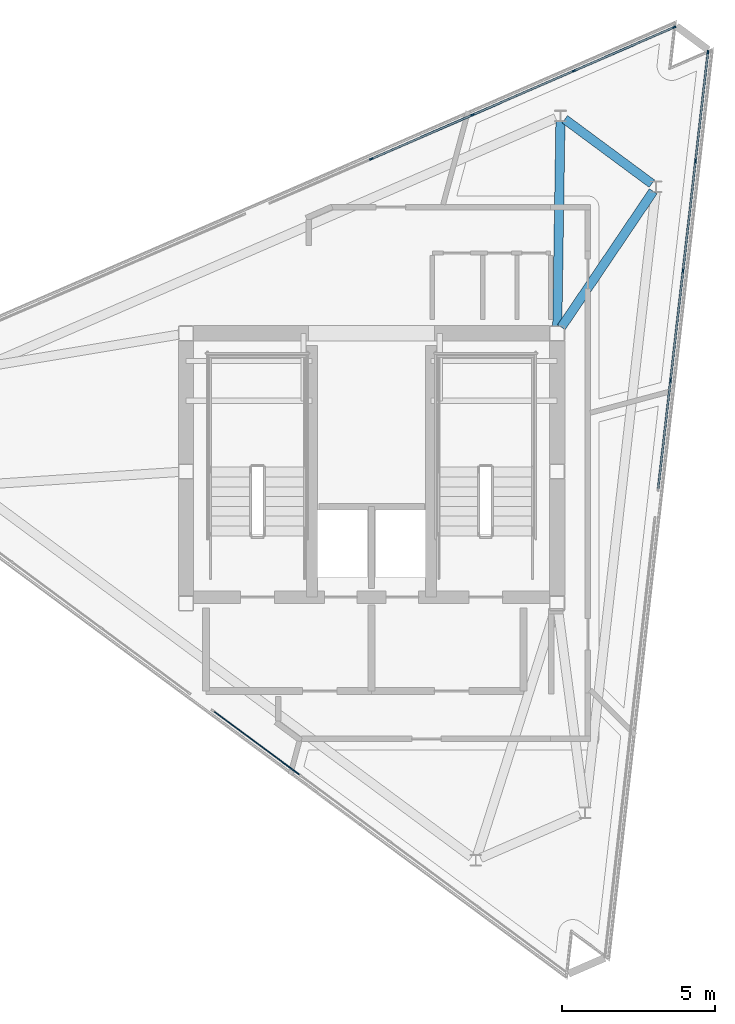
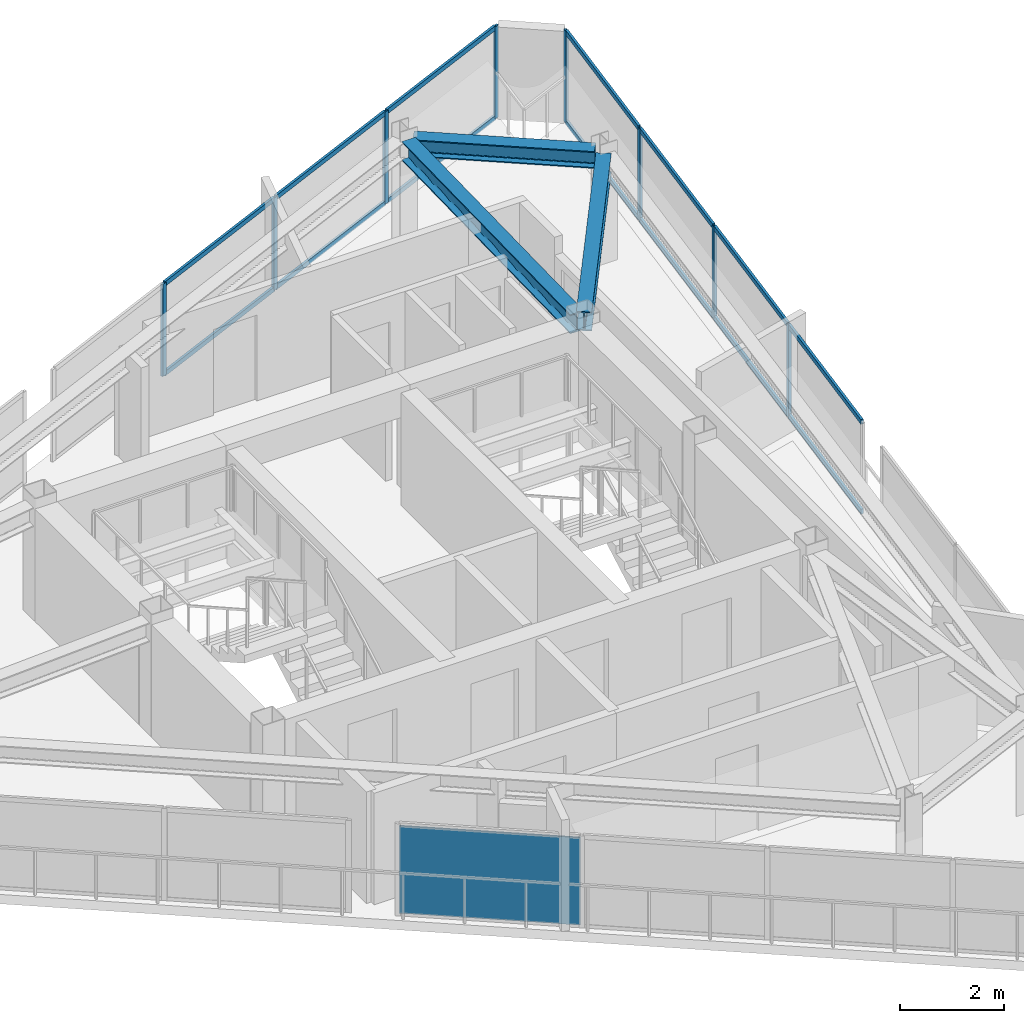
# One storey, part 5 of 9: 22 members, 3 beams, 1 plate, 3 elements without a shape of their own.
"""IFC4 building model written with IfcOpenShell, lengths in metres."""

from ifc_helpers import new_model, si_unit, direction, frame, origin, origin_2d, place, context, subcontext, project, spatial, rectangle, i_section, extrude, material, layer, layer_set, material_profile, profile_set, type_object, element, aggregate, save


model = new_model("IFC4")

# Units and contexts
model_context = context("Model", 3, precision=1e-05, world=origin(), true_north=direction((0.0, 1.0)))
body_context = subcontext(model_context, "Body", "Model", "MODEL_VIEW")
ifc_project = project(units=[si_unit("LENGTHUNIT", "METRE"), si_unit("AREAUNIT", "SQUARE_METRE"), si_unit("VOLUMEUNIT", "CUBIC_METRE"), si_unit("PLANEANGLEUNIT", "RADIAN"), si_unit("MASSUNIT", "GRAM", prefix="KILO")], contexts=[model_context])

# Site, building, storey
site_placement = place(None, origin())
site = spatial("IfcSite", under=ifc_project, at=site_placement, CompositionType="ELEMENT")
building_placement = place(site_placement, origin())
building = spatial("IfcBuilding", under=site, at=building_placement, Name="Rocaltana Carrier Exchange", CompositionType="ELEMENT")
storey_placement = place(building_placement, frame((0.0, 0.0, 246.239990234375)))
storey = spatial("IfcBuildingStorey", under=building, at=storey_placement, Name="L78", CompositionType="ELEMENT", Elevation=246.239990234375)

# Curtain wall, members
ifc_material_1 = material(Name="Aluminium 6063-T6", Category="aluminium")
ifc_layer_1 = layer(ifc_material_1, 0.110107421875)
ifc_layer_set_1 = layer_set([ifc_layer_1], Name="Aluminium 6063-T6")
curtain_wall_type = type_object("IfcCurtainWallType", Name="Crown Lantern Faceted Curtain Wall CW-06", PredefinedType="NOTDEFINED", material=ifc_layer_set_1)
curtain_wall_1_placement = place(storey_placement, origin())
curtain_wall_1 = element("IfcCurtainWall", 1, at=curtain_wall_1_placement, inside=storey, type_object=curtain_wall_type, Name="L78 CW-06 Run CW06-L78-F1S2", PredefinedType="NOTDEFINED")
ifc_material_2 = material(Name="Aluminium 6063-T6", Category="aluminium")
ifc_material_profile_1 = material_profile(ifc_material_2, rectangle(XDim=0.054931640625, YDim=0.110107421875, at=origin_2d()), Name="AL-55X110")
ifc_profile_set_1 = profile_set([ifc_material_profile_1], Name="Aluminium 6063-T6")
member_type_1 = type_object("IfcMemberType", Name="CW-06 Mullion AL-55X110", PredefinedType="MULLION", material=ifc_profile_set_1)
member_1_placement = place(storey_placement, frame((9.74462890625, 2.966064453125, 0.0), z_axis=(0.0, 0.0, 1.0), x_axis=(-0.993571248935, 0.113208538941, 0.0)))
member_1 = element("IfcMember", 2, at=member_1_placement, type_object=member_type_1, Name="CW-06 mullion 2", PredefinedType="MULLION", context=body_context, shape_type="SweptSolid", body=[
    extrude(rectangle(XDim=0.054931640625, YDim=0.110107421875, at=origin_2d()), origin(), (0.0, 0.0, 1.0), 2.16796875),
])
member_2_placement = place(storey_placement, frame((10.152099609375, 6.542724609375, 0.0), z_axis=(0.0, 0.0, 1.0), x_axis=(-0.993571248935, 0.113208538941, 0.0)))
member_2 = element("IfcMember", 3, at=member_2_placement, type_object=member_type_1, Name="CW-06 mullion 3", PredefinedType="MULLION", context=body_context, shape_type="SweptSolid", body=[
    extrude(rectangle(XDim=0.054931640625, YDim=0.110107421875, at=origin_2d()), origin(), (0.0, 0.0, 1.0), 2.16796875),
])
member_3_placement = place(storey_placement, frame((10.559814453125, 10.11962890625, 0.0), z_axis=(0.0, 0.0, 1.0), x_axis=(-0.993571248935, 0.113208538941, 0.0)))
member_3 = element("IfcMember", 4, at=member_3_placement, type_object=member_type_1, Name="CW-06 mullion 4", PredefinedType="MULLION", context=body_context, shape_type="SweptSolid", body=[
    extrude(rectangle(XDim=0.054931640625, YDim=0.110107421875, at=origin_2d()), origin(), (0.0, 0.0, 1.0), 2.16796875),
])
member_4_placement = place(storey_placement, frame((10.964111328125, 13.669189453125, 0.0), z_axis=(0.0, 0.0, 1.0), x_axis=(-0.993571248935, 0.113208538941, 0.0)))
member_4 = element("IfcMember", 5, at=member_4_placement, type_object=member_type_1, Name="CW-06 mullion 5", PredefinedType="MULLION", context=body_context, shape_type="SweptSolid", body=[
    extrude(rectangle(XDim=0.054931640625, YDim=0.110107421875, at=origin_2d()), origin(), (0.0, 0.0, 1.0), 2.16796875),
])

curtain_wall_2_placement = place(storey_placement, origin())
curtain_wall_2 = element("IfcCurtainWall", 6, at=curtain_wall_2_placement, inside=storey, type_object=curtain_wall_type, Name="L78 CW-06 Run CW06-L78-F2S1", PredefinedType="NOTDEFINED")
member_5_placement = place(storey_placement, frame((9.8662109375, 14.4814453125, 0.0), z_axis=(0.0, 0.0, 1.0), x_axis=(0.398751504402, -0.917059015406, 0.0)))
member_5 = element("IfcMember", 7, at=member_5_placement, type_object=member_type_1, Name="CW-06 mullion 1", PredefinedType="MULLION", context=body_context, shape_type="SweptSolid", body=[
    extrude(rectangle(XDim=0.054931640625, YDim=0.110107421875, at=origin_2d()), origin(), (0.0, 0.0, 1.0), 2.16796875),
])
member_6_placement = place(storey_placement, frame((6.590087890625, 13.056884765625, 0.0), z_axis=(0.0, 0.0, 1.0), x_axis=(0.398751504402, -0.917059015406, 0.0)))
member_6 = element("IfcMember", 8, at=member_6_placement, type_object=member_type_1, Name="CW-06 mullion 2", PredefinedType="MULLION", context=body_context, shape_type="SweptSolid", body=[
    extrude(rectangle(XDim=0.054931640625, YDim=0.110107421875, at=origin_2d()), origin(), (0.0, 0.0, 1.0), 2.16796875),
])
member_7_placement = place(storey_placement, frame((3.288818359375, 11.62158203125, 0.0), z_axis=(0.0, 0.0, 1.0), x_axis=(0.398751504402, -0.917059015406, 0.0)))
member_7 = element("IfcMember", 9, at=member_7_placement, type_object=member_type_1, Name="CW-06 mullion 3", PredefinedType="MULLION", context=body_context, shape_type="SweptSolid", body=[
    extrude(rectangle(XDim=0.054931640625, YDim=0.110107421875, at=origin_2d()), origin(), (0.0, 0.0, 1.0), 2.16796875),
])
member_8_placement = place(storey_placement, frame((-0.0126953125, 10.18603515625, 0.0), z_axis=(0.0, 0.0, 1.0), x_axis=(0.398751504402, -0.917059015406, 0.0)))
member_8 = element("IfcMember", 10, at=member_8_placement, type_object=member_type_1, Name="CW-06 mullion 4", PredefinedType="MULLION", context=body_context, shape_type="SweptSolid", body=[
    extrude(rectangle(XDim=0.054931640625, YDim=0.110107421875, at=origin_2d()), origin(), (0.0, 0.0, 1.0), 2.16796875),
])

# Member
ifc_material_3 = material(Name="Aluminium 6063-T6", Category="aluminium")
ifc_material_profile_2 = material_profile(ifc_material_3, rectangle(XDim=0.054931640625, YDim=0.110107421875, at=origin_2d()), Name="AL-55X110")
ifc_profile_set_2 = profile_set([ifc_material_profile_2], Name="Aluminium 6063-T6")
member_type_2 = type_object("IfcMemberType", Name="CW-06 Transom AL-55X110", PredefinedType="USERDEFINED", material=ifc_profile_set_2)
member_9_placement = place(storey_placement, frame((9.34326171875, -0.55615234375, 0.027587890625), z_axis=(0.113204020034, 0.993571763814, 0.0), x_axis=(-0.993571763814, 0.113204020034, 0.0)))
member_9 = element("IfcMember", 11, at=member_9_placement, type_object=member_type_2, Name="CW-06 transom 1.1", ObjectType="TRANSOM", PredefinedType="USERDEFINED", context=body_context, shape_type="SweptSolid", body=[
    extrude(rectangle(XDim=0.054931640625, YDim=0.110107421875, at=origin_2d()), origin(), (0.0, 0.0, 1.0), 3.517578125),
])

member_10_placement = place(storey_placement, frame((9.34326171875, -0.55615234375, 2.140625), z_axis=(0.113204020034, 0.993571763814, 0.0), x_axis=(-0.993571763814, 0.113204020034, 0.0)))
member_10 = element("IfcMember", 12, at=member_10_placement, type_object=member_type_2, Name="CW-06 transom 1.2", ObjectType="TRANSOM", PredefinedType="USERDEFINED", context=body_context, shape_type="SweptSolid", body=[
    extrude(rectangle(XDim=0.054931640625, YDim=0.110107421875, at=origin_2d()), origin(), (0.0, 0.0, 1.0), 3.517578125),
])

member_11_placement = place(storey_placement, frame((9.747802734375, 2.9931640625, 0.027587890625), z_axis=(0.11322027687, 0.993569911433, 0.0), x_axis=(-0.993569911433, 0.11322027687, 0.0)))
member_11 = element("IfcMember", 13, at=member_11_placement, type_object=member_type_2, Name="CW-06 transom 2.1", ObjectType="TRANSOM", PredefinedType="USERDEFINED", context=body_context, shape_type="SweptSolid", body=[
    extrude(rectangle(XDim=0.054931640625, YDim=0.110107421875, at=origin_2d()), origin(), (0.0, 0.0, 1.0), 3.544921875),
])

member_12_placement = place(storey_placement, frame((9.747802734375, 2.9931640625, 2.140625), z_axis=(0.11322027687, 0.993569911433, 0.0), x_axis=(-0.993569911433, 0.11322027687, 0.0)))
member_12 = element("IfcMember", 14, at=member_12_placement, type_object=member_type_2, Name="CW-06 transom 2.2", ObjectType="TRANSOM", PredefinedType="USERDEFINED", context=body_context, shape_type="SweptSolid", body=[
    extrude(rectangle(XDim=0.054931640625, YDim=0.110107421875, at=origin_2d()), origin(), (0.0, 0.0, 1.0), 3.544921875),
])

member_13_placement = place(storey_placement, frame((10.1552734375, 6.570068359375, 0.027587890625), z_axis=(0.11322027687, 0.993569911433, 0.0), x_axis=(-0.993569911433, 0.11322027687, 0.0)))
member_13 = element("IfcMember", 15, at=member_13_placement, type_object=member_type_2, Name="CW-06 transom 3.1", ObjectType="TRANSOM", PredefinedType="USERDEFINED", context=body_context, shape_type="SweptSolid", body=[
    extrude(rectangle(XDim=0.054931640625, YDim=0.110107421875, at=origin_2d()), origin(), (0.0, 0.0, 1.0), 3.544921875),
])

member_14_placement = place(storey_placement, frame((10.1552734375, 6.570068359375, 2.140625), z_axis=(0.11322027687, 0.993569911433, 0.0), x_axis=(-0.993569911433, 0.11322027687, 0.0)))
member_14 = element("IfcMember", 16, at=member_14_placement, type_object=member_type_2, Name="CW-06 transom 3.2", ObjectType="TRANSOM", PredefinedType="USERDEFINED", context=body_context, shape_type="SweptSolid", body=[
    extrude(rectangle(XDim=0.054931640625, YDim=0.110107421875, at=origin_2d()), origin(), (0.0, 0.0, 1.0), 3.544921875),
])

member_15_placement = place(storey_placement, frame((10.562744140625, 10.14697265625, 0.027587890625), z_axis=(0.113272537493, 0.993563954786, 0.0), x_axis=(-0.993563954786, 0.113272537493, 0.0)))
member_15 = element("IfcMember", 17, at=member_15_placement, type_object=member_type_2, Name="CW-06 transom 4.1", ObjectType="TRANSOM", PredefinedType="USERDEFINED", context=body_context, shape_type="SweptSolid", body=[
    extrude(rectangle(XDim=0.054931640625, YDim=0.110107421875, at=origin_2d()), origin(), (0.0, 0.0, 1.0), 3.517578125),
])

member_16_placement = place(storey_placement, frame((10.562744140625, 10.14697265625, 2.140625), z_axis=(0.113272537493, 0.993563954786, 0.0), x_axis=(-0.993563954786, 0.113272537493, 0.0)))
member_16 = element("IfcMember", 18, at=member_16_placement, type_object=member_type_2, Name="CW-06 transom 4.2", ObjectType="TRANSOM", PredefinedType="USERDEFINED", context=body_context, shape_type="SweptSolid", body=[
    extrude(rectangle(XDim=0.054931640625, YDim=0.110107421875, at=origin_2d()), origin(), (0.0, 0.0, 1.0), 3.517578125),
])

aggregate(curtain_wall_1, [member_1, member_2, member_3, member_4, member_9, member_10, member_11, member_12, member_13, member_14, member_15, member_16])

member_17_placement = place(storey_placement, frame((9.841064453125, 14.470458984375, 0.027587890625), z_axis=(-0.917064538977, -0.39873880091, 0.0), x_axis=(0.39873880091, -0.917064538977, 0.0)))
member_17 = element("IfcMember", 19, at=member_17_placement, type_object=member_type_2, Name="CW-06 transom 1.1", ObjectType="TRANSOM", PredefinedType="USERDEFINED", context=body_context, shape_type="SweptSolid", body=[
    extrude(rectangle(XDim=0.054931640625, YDim=0.110107421875, at=origin_2d()), origin(), (0.0, 0.0, 1.0), 3.517578125),
])

member_18_placement = place(storey_placement, frame((9.841064453125, 14.470458984375, 2.140625), z_axis=(-0.917064538977, -0.39873880091, 0.0), x_axis=(0.39873880091, -0.917064538977, 0.0)))
member_18 = element("IfcMember", 20, at=member_18_placement, type_object=member_type_2, Name="CW-06 transom 1.2", ObjectType="TRANSOM", PredefinedType="USERDEFINED", context=body_context, shape_type="SweptSolid", body=[
    extrude(rectangle(XDim=0.054931640625, YDim=0.110107421875, at=origin_2d()), origin(), (0.0, 0.0, 1.0), 3.517578125),
])

member_19_placement = place(storey_placement, frame((6.56494140625, 13.046142578125, 0.027587890625), z_axis=(-0.917059106947, -0.398751293874, 0.0), x_axis=(0.398751293874, -0.917059106947, 0.0)))
member_19 = element("IfcMember", 21, at=member_19_placement, type_object=member_type_2, Name="CW-06 transom 2.1", ObjectType="TRANSOM", PredefinedType="USERDEFINED", context=body_context, shape_type="SweptSolid", body=[
    extrude(rectangle(XDim=0.054931640625, YDim=0.110107421875, at=origin_2d()), origin(), (0.0, 0.0, 1.0), 3.544921875),
])

member_20_placement = place(storey_placement, frame((6.56494140625, 13.046142578125, 2.140625), z_axis=(-0.917059106947, -0.398751293874, 0.0), x_axis=(0.398751293874, -0.917059106947, 0.0)))
member_20 = element("IfcMember", 22, at=member_20_placement, type_object=member_type_2, Name="CW-06 transom 2.2", ObjectType="TRANSOM", PredefinedType="USERDEFINED", context=body_context, shape_type="SweptSolid", body=[
    extrude(rectangle(XDim=0.054931640625, YDim=0.110107421875, at=origin_2d()), origin(), (0.0, 0.0, 1.0), 3.544921875),
])

member_21_placement = place(storey_placement, frame((3.263427734375, 11.610595703125, 0.027587890625), z_axis=(-0.917059106947, -0.398751293874, 0.0), x_axis=(0.398751293874, -0.917059106947, 0.0)))
member_21 = element("IfcMember", 23, at=member_21_placement, type_object=member_type_2, Name="CW-06 transom 3.1", ObjectType="TRANSOM", PredefinedType="USERDEFINED", context=body_context, shape_type="SweptSolid", body=[
    extrude(rectangle(XDim=0.054931640625, YDim=0.110107421875, at=origin_2d()), origin(), (0.0, 0.0, 1.0), 3.544921875),
])

member_22_placement = place(storey_placement, frame((3.263427734375, 11.610595703125, 2.140625), z_axis=(-0.917059106947, -0.398751293874, 0.0), x_axis=(0.398751293874, -0.917059106947, 0.0)))
member_22 = element("IfcMember", 24, at=member_22_placement, type_object=member_type_2, Name="CW-06 transom 3.2", ObjectType="TRANSOM", PredefinedType="USERDEFINED", context=body_context, shape_type="SweptSolid", body=[
    extrude(rectangle(XDim=0.054931640625, YDim=0.110107421875, at=origin_2d()), origin(), (0.0, 0.0, 1.0), 3.544921875),
])

aggregate(curtain_wall_2, [member_5, member_6, member_7, member_8, member_17, member_18, member_19, member_20, member_21, member_22])

# Beams
ifc_material_4 = material(Name="Steel S460", Category="steel")
ifc_material_profile_3 = material_profile(ifc_material_4, i_section(OverallWidth=0.300048828125, OverallDepth=0.449951171875, WebThickness=0.013916015625, FlangeThickness=0.02587890625, FilletRadius=0.027099609375, at=origin_2d()), Name="HEB450")
ifc_profile_set_3 = profile_set([ifc_material_profile_3], Name="Steel S460")
beam_type_1 = type_object("IfcBeamType", Name="Crown Frame Rafter HEB450", PredefinedType="BEAM", material=ifc_profile_set_3)
beam_1_placement = place(storey_placement, frame((6.185546875, 4.700439453125, 2.423095703125), z_axis=(0.55981845745, 0.828615287512, 0.0), x_axis=(-0.828615287512, 0.55981845745, 0.0)))
element("IfcBeam", 25, at=beam_1_placement, inside=storey, type_object=beam_type_1, Name="CRG-RAD-L78-02", PredefinedType="BEAM", context=body_context, shape_type="SweptSolid", body=[
    extrude(i_section(OverallWidth=0.300048828125, OverallDepth=0.449951171875, WebThickness=0.013916015625, FlangeThickness=0.02587890625, FilletRadius=0.027099609375, at=origin_2d()), origin(), (0.0, 0.0, 1.0), 5.349609375),
])
beam_2_placement = place(storey_placement, frame((6.0537109375, 4.741943359375, 2.423095703125), z_axis=(0.015446977979, 0.999880688318, 0.0), x_axis=(-0.999880688318, 0.015446977979, 0.0)))
element("IfcBeam", 26, at=beam_2_placement, inside=storey, type_object=beam_type_1, Name="CRG-RAD-L78-03", PredefinedType="BEAM", context=body_context, shape_type="SweptSolid", body=[
    extrude(i_section(OverallWidth=0.300048828125, OverallDepth=0.449951171875, WebThickness=0.013916015625, FlangeThickness=0.02587890625, FilletRadius=0.027099609375, at=origin_2d()), origin(), (0.0, 0.0, 1.0), 6.669677734375),
])
ifc_material_5 = material(Name="Steel S460", Category="steel")
ifc_material_profile_4 = material_profile(ifc_material_5, i_section(OverallWidth=0.300048828125, OverallDepth=0.39990234375, WebThickness=0.013427734375, FlangeThickness=0.02392578125, FilletRadius=0.027099609375, at=origin_2d()), Name="HEB400")
ifc_profile_set_4 = profile_set([ifc_material_profile_4], Name="Steel S460")
beam_type_2 = type_object("IfcBeamType", Name="Crown Ring Beam HEB400", PredefinedType="BEAM", material=ifc_profile_set_4)
beam_3_placement = place(storey_placement, frame((9.137939453125, 9.380859375, 2.447998046875), z_axis=(-0.803841238044, 0.594843898867, 0.0), x_axis=(-0.594843898867, -0.803841238044, 0.0)))
element("IfcBeam", 27, at=beam_3_placement, inside=storey, type_object=beam_type_2, Name="CRG-RING-L78-02", PredefinedType="BEAM", context=body_context, shape_type="SweptSolid", body=[
    extrude(i_section(OverallWidth=0.300048828125, OverallDepth=0.39990234375, WebThickness=0.013427734375, FlangeThickness=0.02392578125, FilletRadius=0.027099609375, at=origin_2d()), origin(), (0.0, 0.0, 1.0), 3.53125),
])

# Curtain wall, plate
curtain_wall_3_placement = place(storey_placement, origin())
curtain_wall_3 = element("IfcCurtainWall", 28, at=curtain_wall_3_placement, inside=storey, type_object=curtain_wall_type, Name="L78 CW-06 Run CW06-L78-F3S2", PredefinedType="NOTDEFINED")
ifc_material_6 = material(Name="Tempered Laminated Glass", Category="glass")
ifc_layer_2 = layer(ifc_material_6, 0.033935546875)
ifc_layer_set_2 = layer_set([ifc_layer_2], Name="Tempered Laminated Glass")
plate_type = type_object("IfcPlateType", Name="CW-06 Stone-Insulated Vision Panel", PredefinedType="CURTAIN_PANEL", material=ifc_layer_set_2)
plate_placement = place(storey_placement, frame((-3.739501953125, -8.859619140625, 0.054931640625), z_axis=(0.0, 0.0, 1.0), x_axis=(0.80385418508, -0.594826402516, 0.0)))
plate = element("IfcPlate", 29, at=plate_placement, type_object=plate_type, Name="CW-06 panel 1.1", PredefinedType="CURTAIN_PANEL", context=body_context, shape_type="SweptSolid", body=[
    extrude(rectangle(XDim=3.517578125, YDim=0.033935546875, at=origin_2d()), origin(), (0.0, 0.0, 1.0), 2.05810546875),
])
aggregate(curtain_wall_3, [plate])

save(model, "model.ifc")
